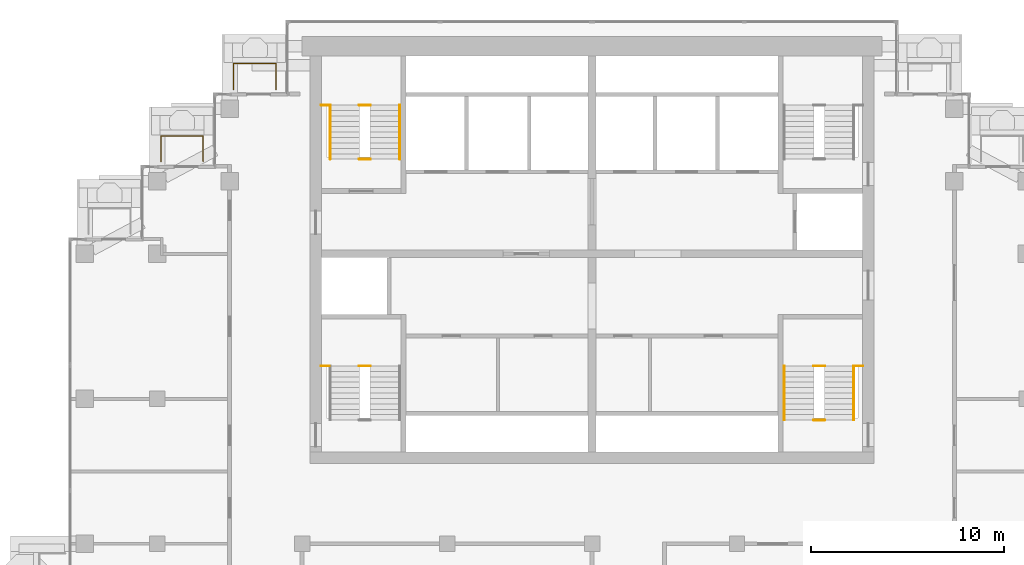
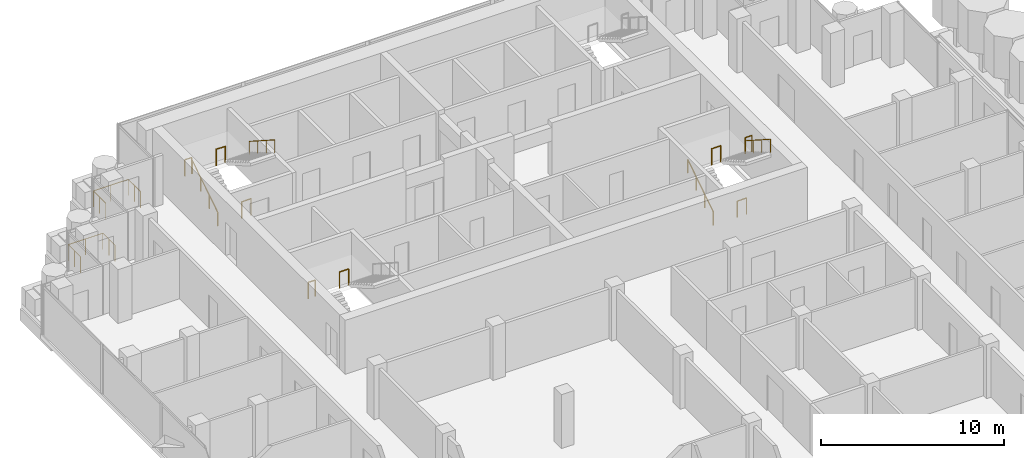
# One storey, part 17 of 19: 14 railings.
"""IFC4 building model written with IfcOpenShell, lengths in metres."""

import ifcopenshell
import ifcopenshell.guid

model = None  # the IFC model being written
_history = None  # IfcOwnerHistory: only IFC2X3 demands one
_inside = {}  # id of a spatial element -> (the spatial element, [elements in it])
_under = {}  # id of a project, library or spatial element -> (it, [spatial elements below it])
_declared = {}  # id of a project -> (the project, [libraries it declares])
_typed = {}  # id of a type object -> (the type object, [elements of that type])
_made_of = {}  # id of a material, layer set ... -> (it, [elements and type objects made of it])


def new_model(schema):
    """Start an empty IFC model of exactly this schema.

    Asked for "IFC4X3", IfcOpenShell would pick the latest addendum, in which some entities
    have other attributes; the version numbers below select the first issue.
    IFC2X3 requires an IfcOwnerHistory on every rooted entity: one is made here for all.
    """
    global model, _history
    if schema == "IFC4X3":
        model = ifcopenshell.file(schema_version=(4, 3, 0, 0))
    else:
        model = ifcopenshell.file(schema=schema)
    _inside.clear()
    _under.clear()
    _declared.clear()
    _typed.clear()
    _made_of.clear()
    _history = None
    if model.schema == "IFC2X3":
        org = make("IfcOrganization", Name="unknown")
        user = make(
            "IfcPersonAndOrganization",
            ThePerson=make("IfcPerson", FamilyName="unknown"),
            TheOrganization=org,
        )
        app = make(
            "IfcApplication",
            ApplicationDeveloper=org,
            Version="unknown",
            ApplicationFullName="unknown",
            ApplicationIdentifier="unknown",
        )
        _history = make(
            "IfcOwnerHistory",
            OwningUser=user,
            OwningApplication=app,
            ChangeAction="ADDED",
            CreationDate=0,
        )
    return model


def make(cls, **values):
    """One entity of the class cls with the attributes given. An attribute that is None is left unset."""
    return model.create_entity(
        cls, **{name: value for name, value in values.items() if value is not None}
    )


def rooted(cls, **values):
    """An entity with a GlobalId (a new one), such as an element, a storey or a relation."""
    return make(cls, GlobalId=ifcopenshell.guid.new(), OwnerHistory=_history, **values)


def si_unit(unit_type, name, prefix=None):
    """IfcSIUnit, for example si_unit("LENGTHUNIT", "METRE", prefix="MILLI")."""
    return make("IfcSIUnit", UnitType=unit_type, Prefix=prefix, Name=name)


def assignment(units):
    """IfcUnitAssignment: the units of a project."""
    return None if units is None else make("IfcUnitAssignment", Units=units)


def point(xyz):
    """IfcCartesianPoint."""
    return None if xyz is None else make("IfcCartesianPoint", Coordinates=xyz)


def direction(xyz):
    """IfcDirection."""
    return None if xyz is None else make("IfcDirection", DirectionRatios=xyz)


def frame(location, z_axis=None, x_axis=None):
    """IfcAxis2Placement3D, a coordinate frame: its origin and axes. An axis left out is left unset."""
    return make(
        "IfcAxis2Placement3D",
        Location=point(location),
        Axis=direction(z_axis),
        RefDirection=direction(x_axis),
    )


def frame_2d(location, x_axis=None):
    """IfcAxis2Placement2D, a coordinate frame in the plane: its origin and x axis."""
    return make(
        "IfcAxis2Placement2D", Location=point(location), RefDirection=direction(x_axis)
    )


def origin():
    """The frame at (0, 0, 0) with its axes left unset."""
    return frame((0.0, 0.0, 0.0))


def origin_2d():
    """The frame at (0, 0) in the plane with its x axis left unset."""
    return frame_2d((0.0, 0.0))


def place(relative_to, where):
    """IfcLocalPlacement: puts the frame where relative to a parent placement (None: the world)."""
    return make(
        "IfcLocalPlacement", PlacementRelTo=relative_to, RelativePlacement=where
    )


def context(
    kind, dimensions, precision=None, world=None, true_north=None, identifier=None
):
    """IfcGeometricRepresentationContext, for example the 3D "Model" context."""
    return make(
        "IfcGeometricRepresentationContext",
        ContextIdentifier=identifier,
        ContextType=kind,
        CoordinateSpaceDimension=dimensions,
        Precision=precision,
        WorldCoordinateSystem=world,
        TrueNorth=true_north,
    )


def subcontext(parent, identifier, kind, view, scale=None):
    """IfcGeometricRepresentationSubContext, for example "Body" below "Model"."""
    return make(
        "IfcGeometricRepresentationSubContext",
        ContextIdentifier=identifier,
        ContextType=kind,
        ParentContext=parent,
        TargetScale=scale,
        TargetView=view,
    )


def project(units=None, contexts=None):
    """IfcProject with its units and contexts."""
    return rooted(
        "IfcProject",
        Name="project",
        RepresentationContexts=contexts,
        UnitsInContext=assignment(units),
    )


def spatial(cls, under=None, at=None, **own):
    """A site, building, storey or space (cls), placed at a placement, below another one or the project."""
    s = rooted(cls, ObjectPlacement=at, **own)
    if under is not None:
        _under.setdefault(under.id(), (under, []))[1].append(s)
    return s


def profile(cls, at=None, kind="AREA", **sizes):
    """A parametric profile (cls). Its sizes go by their IFC names, for example OverallWidth=200.0."""
    return make(cls, ProfileType=kind, Position=at, **sizes)


def circle(**sizes):
    """IfcCircleProfileDef."""
    return profile("IfcCircleProfileDef", **sizes)


def extrude(swept, where, along, depth):
    """IfcExtrudedAreaSolid: the profile swept, set in the frame where, extruded along a direction by depth."""
    return make(
        "IfcExtrudedAreaSolid",
        SweptArea=swept,
        Position=where,
        ExtrudedDirection=direction(along),
        Depth=depth,
    )


def shape(context_of_items, identifier, shape_type, items):
    """IfcShapeRepresentation: the items that make up one representation, for example the "Body"."""
    return make(
        "IfcShapeRepresentation",
        ContextOfItems=context_of_items,
        RepresentationIdentifier=identifier,
        RepresentationType=shape_type,
        Items=items,
    )


def material(Name=None, Category=None):
    """IfcMaterial."""
    return make("IfcMaterial", Name=Name, Category=Category)


def made_of(thing, what):
    """Note that an element or type object is made of a material, layer set ...; save() writes the relation."""
    if what is not None:
        _made_of.setdefault(what.id(), (what, []))[1].append(thing)
    return thing


def type_object(cls, material=None, **own):
    """A type object (cls), such as IfcWallType, which elements share."""
    return made_of(rooted(cls, **own), material)


def element(
    cls,
    number,
    at=None,
    inside=None,
    cuts=None,
    type_object=None,
    material=None,
    context=None,
    identifier="Body",
    shape_type=None,
    held_by="IfcProductDefinitionShape",
    body=None,
    shapes=None,
    **own,
):
    """One element of the class cls, such as IfcWall. Its Tag is "e" and its number.

    at: its placement. inside: the storey or other place that contains it. cuts: it is an
    opening in that element (IfcRelVoidsElement). A single representation is given by context,
    identifier, shape_type and body (its items); several are given by shapes. held_by: the class
    of the entity that holds the representations. save() writes the other relations.
    """
    e = rooted(cls, Tag="e%d" % number, ObjectPlacement=at, **own)
    if body is not None:
        shapes = [shape(context, identifier, shape_type, body)]
    if shapes is not None:
        e.Representation = make(held_by, Representations=shapes)
    if inside is not None:
        _inside.setdefault(inside.id(), (inside, []))[1].append(e)
    if cuts is not None:
        rooted(
            "IfcRelVoidsElement", RelatingBuildingElement=cuts, RelatedOpeningElement=e
        )
    if type_object is not None:
        _typed.setdefault(type_object.id(), (type_object, []))[1].append(e)
    return made_of(e, material)


def aggregate(whole, parts):
    """IfcRelAggregates: a whole, such as a stair, and the parts it consists of."""
    return rooted("IfcRelAggregates", RelatingObject=whole, RelatedObjects=parts)


def save(model, path):
    """Write the relations noted so far, then the file.

    IfcRelAggregates (storeys below a building ...), IfcRelContainedInSpatialStructure (elements
    in a storey), IfcRelDefinesByType, IfcRelAssociatesMaterial and IfcRelDeclares: one each for
    every whole, place, type object, material and project.
    """
    for whole, parts in _under.values():
        aggregate(whole, parts)
    for where, things in _inside.values():
        rooted(
            "IfcRelContainedInSpatialStructure",
            RelatedElements=things,
            RelatingStructure=where,
        )
    for kind, things in _typed.values():
        rooted("IfcRelDefinesByType", RelatedObjects=things, RelatingType=kind)
    for what, things in _made_of.values():
        rooted("IfcRelAssociatesMaterial", RelatedObjects=things, RelatingMaterial=what)
    for by, libraries in _declared.values():
        rooted("IfcRelDeclares", RelatingContext=by, RelatedDefinitions=libraries)
    model.write(path)


model = new_model("IFC4")

# Units and contexts
model_context = context("Model", 3, precision=1e-05, world=origin(), true_north=direction((0.0, 1.0)))
body_context = subcontext(model_context, "Body", "Model", "MODEL_VIEW")
ifc_project = project(units=[si_unit("LENGTHUNIT", "METRE"), si_unit("AREAUNIT", "SQUARE_METRE"), si_unit("VOLUMEUNIT", "CUBIC_METRE"), si_unit("PLANEANGLEUNIT", "RADIAN"), si_unit("MASSUNIT", "GRAM", prefix="KILO")], contexts=[model_context])

# Site, building, storey
site_placement = place(None, origin())
site = spatial("IfcSite", under=ifc_project, at=site_placement, CompositionType="ELEMENT")
building_placement = place(site_placement, origin())
building = spatial("IfcBuilding", under=site, at=building_placement, Name="Pilkhan Gate Tower", CompositionType="ELEMENT")
storey_placement = place(building_placement, frame((0.0, 0.0, 239.10009765625)))
storey = spatial("IfcBuildingStorey", under=building, at=storey_placement, Name="L62", CompositionType="ELEMENT", Elevation=239.10009765625)

# Railings
ifc_material_1 = material(Name="Pale anodised aluminium posts, laminated glass infill", Category="aluminium")
railing_type_1 = type_object("IfcRailingType", Name="Balcony guard G1", PredefinedType="BALUSTRADE", material=ifc_material_1)
railing_1_placement = place(storey_placement, frame((56.449951171875, 91.0, 0.0)))
element("IfcRailing", 1, at=railing_1_placement, inside=storey, type_object=railing_type_1, Name="Balcony guard L62 N", PredefinedType="BALUSTRADE", context=body_context, shape_type="SweptSolid", body=[
    extrude(circle(Radius=0.02392578125, at=origin_2d()), frame((0.0, 0.0, 1.076171875), z_axis=(0.0, 1.0, 0.0), x_axis=(-1.0, 0.0, 0.0)), (0.0, 0.0, 1.0), 1.35009765625),
    extrude(circle(Radius=0.02392578125, at=origin_2d()), frame((0.0, 1.35009765625, 1.076171875), z_axis=(1.0, 0.0, 0.0), x_axis=(0.0, 1.0, 0.0)), (0.0, 0.0, 1.0), 2.199951171875),
    extrude(circle(Radius=0.02392578125, at=origin_2d()), frame((2.199951171875, 1.35009765625, 1.076171875), z_axis=(0.0, -1.0, 0.0), x_axis=(1.0, 0.0, 0.0)), (0.0, 0.0, 1.0), 1.35009765625),
    extrude(circle(Radius=0.02099609375, at=origin_2d()), origin(), (0.0, 0.0, 1.0), 1.052001953125),
    extrude(circle(Radius=0.02099609375, at=origin_2d()), frame((0.0, 0.675048828125, 0.0)), (0.0, 0.0, 1.0), 1.052001953125),
    extrude(circle(Radius=0.02099609375, at=origin_2d()), frame((0.0, 1.35009765625, 0.0)), (0.0, 0.0, 1.0), 1.052001953125),
    extrude(circle(Radius=0.02099609375, at=origin_2d()), frame((1.10009765625, 1.35009765625, 0.0)), (0.0, 0.0, 1.0), 1.052001953125),
    extrude(circle(Radius=0.02099609375, at=origin_2d()), frame((2.199951171875, 1.35009765625, 0.0)), (0.0, 0.0, 1.0), 1.052001953125),
    extrude(circle(Radius=0.02099609375, at=origin_2d()), frame((2.199951171875, 0.675048828125, 0.0)), (0.0, 0.0, 1.0), 1.052001953125),
    extrude(circle(Radius=0.02099609375, at=origin_2d()), frame((2.199951171875, 0.0, 0.0)), (0.0, 0.0, 1.0), 1.052001953125),
])
railing_2_placement = place(storey_placement, frame((52.699951171875, 87.27001953125, 0.0)))
element("IfcRailing", 2, at=railing_2_placement, inside=storey, type_object=railing_type_1, Name="Balcony guard L62 N", PredefinedType="BALUSTRADE", context=body_context, shape_type="SweptSolid", body=[
    extrude(circle(Radius=0.02392578125, at=origin_2d()), frame((0.0, 0.0, 1.076171875), z_axis=(0.0, 1.0, 0.0), x_axis=(-1.0, 0.0, 0.0)), (0.0, 0.0, 1.0), 1.330078125),
    extrude(circle(Radius=0.02392578125, at=origin_2d()), frame((0.0, 1.330078125, 1.076171875), z_axis=(1.0, 0.0, 0.0), x_axis=(0.0, 1.0, 0.0)), (0.0, 0.0, 1.0), 2.179931640625),
    extrude(circle(Radius=0.02392578125, at=origin_2d()), frame((2.179931640625, 1.330078125, 1.076171875), z_axis=(0.0, -1.0, 0.0), x_axis=(1.0, 0.0, 0.0)), (0.0, 0.0, 1.0), 1.330078125),
    extrude(circle(Radius=0.02099609375, at=origin_2d()), origin(), (0.0, 0.0, 1.0), 1.052001953125),
    extrude(circle(Radius=0.02099609375, at=origin_2d()), frame((0.0, 0.6650390625, 0.0)), (0.0, 0.0, 1.0), 1.052001953125),
    extrude(circle(Radius=0.02099609375, at=origin_2d()), frame((0.0, 1.330078125, 0.0)), (0.0, 0.0, 1.0), 1.052001953125),
    extrude(circle(Radius=0.02099609375, at=origin_2d()), frame((1.08984375, 1.330078125, 0.0)), (0.0, 0.0, 1.0), 1.052001953125),
    extrude(circle(Radius=0.02099609375, at=origin_2d()), frame((2.179931640625, 1.330078125, 0.0)), (0.0, 0.0, 1.0), 1.052001953125),
    extrude(circle(Radius=0.02099609375, at=origin_2d()), frame((2.179931640625, 0.6650390625, 0.0)), (0.0, 0.0, 1.0), 1.052001953125),
    extrude(circle(Radius=0.02099609375, at=origin_2d()), frame((2.179931640625, 0.0, 0.0)), (0.0, 0.0, 1.0), 1.052001953125),
])
ifc_material_2 = material(Name="Black powder-coated steel tube", Category="steel")
railing_type_2 = type_object("IfcRailingType", Name="Stair handrail HR1", PredefinedType="HANDRAIL", material=ifc_material_2)
railing_3_placement = place(storey_placement, frame((84.949951171875, 73.89990234375, 0.0)))
element("IfcRailing", 3, at=railing_3_placement, inside=storey, type_object=railing_type_2, Name="Stair ST1 handrail L62", PredefinedType="HANDRAIL", context=body_context, shape_type="SweptSolid", body=[
    extrude(circle(Radius=0.02392578125, at=origin_2d()), frame((0.0, 0.0, 0.8759765625), z_axis=(0.0, 0.841209454229, 0.540709398952), x_axis=(-1.0, 0.0, 0.0)), (0.0, 0.0, 1.0), 3.32861328125),
    extrude(circle(Radius=0.02099609375, at=origin_2d()), origin(), (0.0, 0.0, 1.0), 0.851806640625),
    extrude(circle(Radius=0.02099609375, at=origin_2d()), frame((0.0, 0.933349609375, 0.599853515625)), (0.0, 0.0, 1.0), 0.851806640625),
    extrude(circle(Radius=0.02099609375, at=origin_2d()), frame((0.0, 1.86669921875, 1.199951171875)), (0.0, 0.0, 1.0), 0.851806640625),
    extrude(circle(Radius=0.02099609375, at=origin_2d()), frame((0.0, 2.800048828125, 1.7998046875)), (0.0, 0.0, 1.0), 0.851806640625),
])
railing_4_placement = place(storey_placement, frame((88.550048828125, 76.699951171875, 1.7998046875)))
element("IfcRailing", 4, at=railing_4_placement, inside=storey, type_object=railing_type_2, Name="Stair ST1 handrail L62", PredefinedType="HANDRAIL", context=body_context, shape_type="SweptSolid", body=[
    extrude(circle(Radius=0.02392578125, at=origin_2d()), frame((0.0, 0.0, 0.8759765625), z_axis=(0.0, -0.841176092368, 0.540761298198), x_axis=(1.0, 0.0, 0.0)), (0.0, 0.0, 1.0), 3.32861328125),
    extrude(circle(Radius=0.02099609375, at=origin_2d()), origin(), (0.0, 0.0, 1.0), 0.851806640625),
    extrude(circle(Radius=0.02099609375, at=origin_2d()), frame((0.0, -0.933349609375, 0.60009765625)), (0.0, 0.0, 1.0), 0.851806640625),
    extrude(circle(Radius=0.02099609375, at=origin_2d()), frame((0.0, -1.86669921875, 1.199951171875)), (0.0, 0.0, 1.0), 0.851806640625),
    extrude(circle(Radius=0.02099609375, at=origin_2d()), frame((0.0, -2.800048828125, 1.800048828125)), (0.0, 0.0, 1.0), 0.851806640625),
])
railing_5_placement = place(storey_placement, frame((61.449951171875, 87.39990234375, 0.0)))
element("IfcRailing", 5, at=railing_5_placement, inside=storey, type_object=railing_type_2, Name="Stair ST3 handrail L62", PredefinedType="HANDRAIL", context=body_context, shape_type="SweptSolid", body=[
    extrude(circle(Radius=0.02392578125, at=origin_2d()), frame((0.0, 0.0, 0.8759765625), z_axis=(0.0, 0.841209454229, 0.540709398952), x_axis=(-1.0, 0.0, 0.0)), (0.0, 0.0, 1.0), 3.32861328125),
    extrude(circle(Radius=0.02099609375, at=origin_2d()), origin(), (0.0, 0.0, 1.0), 0.851806640625),
    extrude(circle(Radius=0.02099609375, at=origin_2d()), frame((0.0, 0.933349609375, 0.599853515625)), (0.0, 0.0, 1.0), 0.851806640625),
    extrude(circle(Radius=0.02099609375, at=origin_2d()), frame((0.0, 1.86669921875, 1.199951171875)), (0.0, 0.0, 1.0), 0.851806640625),
    extrude(circle(Radius=0.02099609375, at=origin_2d()), frame((0.0, 2.800048828125, 1.7998046875)), (0.0, 0.0, 1.0), 0.851806640625),
])
railing_6_placement = place(storey_placement, frame((65.050048828125, 90.199951171875, 1.7998046875)))
element("IfcRailing", 6, at=railing_6_placement, inside=storey, type_object=railing_type_2, Name="Stair ST3 handrail L62", PredefinedType="HANDRAIL", context=body_context, shape_type="SweptSolid", body=[
    extrude(circle(Radius=0.02392578125, at=origin_2d()), frame((0.0, 0.0, 0.8759765625), z_axis=(0.0, -0.841176092368, 0.540761298198), x_axis=(1.0, 0.0, 0.0)), (0.0, 0.0, 1.0), 3.32861328125),
    extrude(circle(Radius=0.02099609375, at=origin_2d()), origin(), (0.0, 0.0, 1.0), 0.851806640625),
    extrude(circle(Radius=0.02099609375, at=origin_2d()), frame((0.0, -0.933349609375, 0.60009765625)), (0.0, 0.0, 1.0), 0.851806640625),
    extrude(circle(Radius=0.02099609375, at=origin_2d()), frame((0.0, -1.86669921875, 1.199951171875)), (0.0, 0.0, 1.0), 0.851806640625),
    extrude(circle(Radius=0.02099609375, at=origin_2d()), frame((0.0, -2.800048828125, 1.800048828125)), (0.0, 0.0, 1.0), 0.851806640625),
])
ifc_material_3 = material(Name="Black powder-coated steel balusters", Category="steel")
railing_type_3 = type_object("IfcRailingType", Name="Stair well guard G3", PredefinedType="GUARDRAIL", material=ifc_material_3)
railing_7_placement = place(storey_placement, frame((88.580078125, 76.699951171875, 1.7998046875)))
element("IfcRailing", 7, at=railing_7_placement, inside=storey, type_object=railing_type_3, Name="Stair ST1 well guard L62", PredefinedType="GUARDRAIL", context=body_context, shape_type="SweptSolid", body=[
    extrude(circle(Radius=0.02392578125, at=origin_2d()), frame((0.0, 0.0, 1.076171875), z_axis=(1.0, 0.0, 0.0), x_axis=(0.0, 1.0, 0.0)), (0.0, 0.0, 1.0), 0.43994140625),
    extrude(circle(Radius=0.02099609375, at=origin_2d()), origin(), (0.0, 0.0, 1.0), 1.052001953125),
    extrude(circle(Radius=0.02099609375, at=origin_2d()), frame((0.43994140625, 0.0, 0.0)), (0.0, 0.0, 1.0), 1.052001953125),
])
for number, where, name in (
    (8, (86.4599609375, 73.89990234375, 0.0), "Stair ST1 well guard L62"),
    (9, (86.4599609375, 76.699951171875, 1.7998046875), "Stair ST1 well guard L62"),
):
    element("IfcRailing", number, at=place(storey_placement, frame(where)), inside=storey, type_object=railing_type_3, Name=name, PredefinedType="GUARDRAIL", context=body_context, shape_type="SweptSolid", body=[
        extrude(circle(Radius=0.02392578125, at=origin_2d()), frame((0.0, 0.0, 1.076171875), z_axis=(1.0, 0.0, 0.0), x_axis=(0.0, 1.0, 0.0)), (0.0, 0.0, 1.0), 0.580078125),
        extrude(circle(Radius=0.02099609375, at=origin_2d()), origin(), (0.0, 0.0, 1.0), 1.052001953125),
        extrude(circle(Radius=0.02099609375, at=origin_2d()), frame((0.580078125, 0.0, 0.0)), (0.0, 0.0, 1.0), 1.052001953125),
    ])
railing_8_placement = place(storey_placement, frame((60.97998046875, 76.699951171875, 1.7998046875)))
element("IfcRailing", 10, at=railing_8_placement, inside=storey, type_object=railing_type_3, Name="Stair ST2 well guard L62", PredefinedType="GUARDRAIL", context=body_context, shape_type="SweptSolid", body=[
    extrude(circle(Radius=0.02392578125, at=origin_2d()), frame((0.0, 0.0, 1.076171875), z_axis=(1.0, 0.0, 0.0), x_axis=(0.0, 1.0, 0.0)), (0.0, 0.0, 1.0), 0.43994140625),
    extrude(circle(Radius=0.02099609375, at=origin_2d()), origin(), (0.0, 0.0, 1.0), 1.052001953125),
    extrude(circle(Radius=0.02099609375, at=origin_2d()), frame((0.43994140625, 0.0, 0.0)), (0.0, 0.0, 1.0), 1.052001953125),
])
railing_9_placement = place(storey_placement, frame((62.9599609375, 76.699951171875, 1.7998046875)))
element("IfcRailing", 11, at=railing_9_placement, inside=storey, type_object=railing_type_3, Name="Stair ST2 well guard L62", PredefinedType="GUARDRAIL", context=body_context, shape_type="SweptSolid", body=[
    extrude(circle(Radius=0.02392578125, at=origin_2d()), frame((0.0, 0.0, 1.076171875), z_axis=(1.0, 0.0, 0.0), x_axis=(0.0, 1.0, 0.0)), (0.0, 0.0, 1.0), 0.580078125),
    extrude(circle(Radius=0.02099609375, at=origin_2d()), origin(), (0.0, 0.0, 1.0), 1.052001953125),
    extrude(circle(Radius=0.02099609375, at=origin_2d()), frame((0.580078125, 0.0, 0.0)), (0.0, 0.0, 1.0), 1.052001953125),
])
railing_10_placement = place(storey_placement, frame((60.97998046875, 90.199951171875, 1.7998046875)))
element("IfcRailing", 12, at=railing_10_placement, inside=storey, type_object=railing_type_3, Name="Stair ST3 well guard L62", PredefinedType="GUARDRAIL", context=body_context, shape_type="SweptSolid", body=[
    extrude(circle(Radius=0.02392578125, at=origin_2d()), frame((0.0, 0.0, 1.076171875), z_axis=(1.0, 0.0, 0.0), x_axis=(0.0, 1.0, 0.0)), (0.0, 0.0, 1.0), 0.43994140625),
    extrude(circle(Radius=0.02099609375, at=origin_2d()), origin(), (0.0, 0.0, 1.0), 1.052001953125),
    extrude(circle(Radius=0.02099609375, at=origin_2d()), frame((0.43994140625, 0.0, 0.0)), (0.0, 0.0, 1.0), 1.052001953125),
])
for number, where, name in (
    (13, (62.9599609375, 87.39990234375, 0.0), "Stair ST3 well guard L62"),
    (14, (62.9599609375, 90.199951171875, 1.7998046875), "Stair ST3 well guard L62"),
):
    element("IfcRailing", number, at=place(storey_placement, frame(where)), inside=storey, type_object=railing_type_3, Name=name, PredefinedType="GUARDRAIL", context=body_context, shape_type="SweptSolid", body=[
        extrude(circle(Radius=0.02392578125, at=origin_2d()), frame((0.0, 0.0, 1.076171875), z_axis=(1.0, 0.0, 0.0), x_axis=(0.0, 1.0, 0.0)), (0.0, 0.0, 1.0), 0.580078125),
        extrude(circle(Radius=0.02099609375, at=origin_2d()), origin(), (0.0, 0.0, 1.0), 1.052001953125),
        extrude(circle(Radius=0.02099609375, at=origin_2d()), frame((0.580078125, 0.0, 0.0)), (0.0, 0.0, 1.0), 1.052001953125),
    ])

save(model, "model.ifc")
